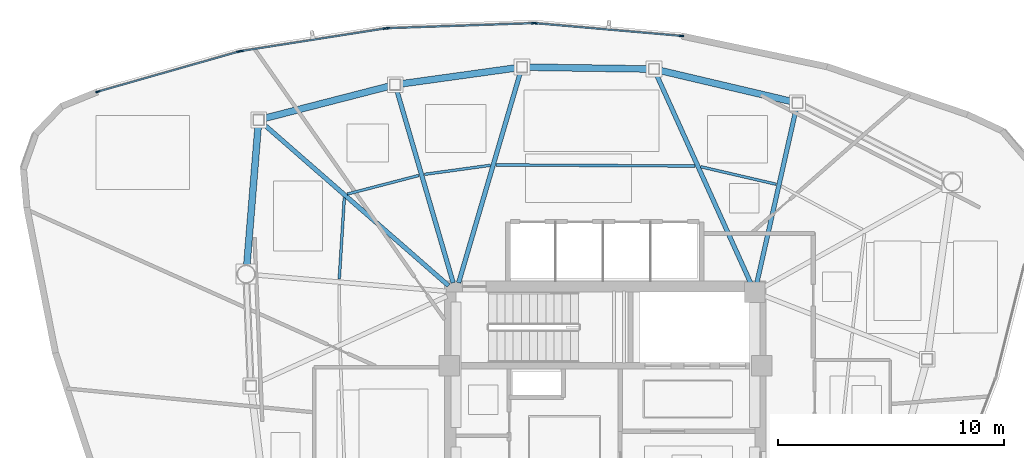
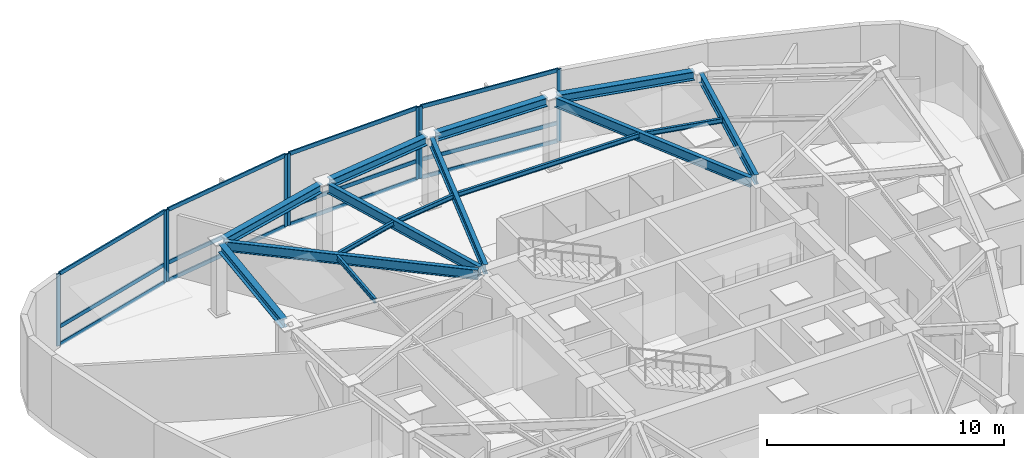
# One storey, part 5 of 12: 20 members, 15 beams, 4 elements without a shape of their own.
"""IFC4 building model written with IfcOpenShell, lengths in metres."""

from ifc_helpers import new_model, si_unit, direction, frame, origin, origin_2d, place, context, subcontext, project, spatial, hollow_rectangle, i_section, extrude, source, transform, mapped, material, layer, layer_set, material_profile, profile_set, type_object, type_shapes, element, aggregate, save


model = new_model("IFC4")

# Units and contexts
model_context = context("Model", 3, precision=1e-05, world=origin(), true_north=direction((0.0, 1.0)))
body_context = subcontext(model_context, "Body", "Model", "MODEL_VIEW")
ifc_project = project(units=[si_unit("LENGTHUNIT", "METRE"), si_unit("AREAUNIT", "SQUARE_METRE"), si_unit("VOLUMEUNIT", "CUBIC_METRE"), si_unit("PLANEANGLEUNIT", "RADIAN"), si_unit("MASSUNIT", "GRAM", prefix="KILO")], contexts=[model_context])

# Site, building, storey
site_placement = place(None, origin())
site = spatial("IfcSite", under=ifc_project, at=site_placement, CompositionType="ELEMENT")
building_placement = place(site_placement, origin())
building = spatial("IfcBuilding", under=site, at=building_placement, Name="Tavelor Broadcast Tower", CompositionType="ELEMENT")
storey_placement = place(building_placement, frame((0.0, 0.0, 289.5)))
storey = spatial("IfcBuildingStorey", under=building, at=storey_placement, Name="L69", CompositionType="ELEMENT", Elevation=289.5)

# Beams
ifc_material_1 = material(Name="Steel S355", Category="steel")
ifc_material_profile_1 = material_profile(ifc_material_1, i_section(OverallWidth=0.1201171875, OverallDepth=0.239990234375, WebThickness=0.006103515625, FlangeThickness=0.009765625, at=origin_2d()), Name="IPE 240")
ifc_profile_set_1 = profile_set([ifc_material_profile_1], Name="Steel S355")
beam_type_1 = type_object("IfcBeamType", Name="Composite Floor Joist T7 IPE 240", PredefinedType="JOIST", material=ifc_profile_set_1)
beam_1_placement = place(storey_placement, frame((57.54248046875, 55.96337890625, 3.580078125), z_axis=(-0.974044982297, 0.226354528257, 0.0), x_axis=(-0.226354528257, -0.974044982297, 0.0)))
element("IfcBeam", 1, at=beam_1_placement, inside=storey, type_object=beam_type_1, Name="L69 Secondary Composite Floor Joist 14", PredefinedType="JOIST", context=body_context, shape_type="SweptSolid", body=[
    extrude(i_section(OverallWidth=0.1201171875, OverallDepth=0.239990234375, WebThickness=0.006103515625, FlangeThickness=0.009765625, at=origin_2d()), origin(), (0.0, 0.0, 1.0), 3.42236328125),
])
beam_2_placement = place(storey_placement, frame((53.954345703125, 56.76806640625, 3.580078125), z_axis=(-0.999984057593, 0.005646641549, 0.0), x_axis=(-0.005646641549, -0.999984057593, 0.0)))
element("IfcBeam", 2, at=beam_2_placement, inside=storey, type_object=beam_type_1, Name="L69 Secondary Composite Floor Joist 15", PredefinedType="JOIST", context=body_context, shape_type="SweptSolid", body=[
    extrude(i_section(OverallWidth=0.1201171875, OverallDepth=0.239990234375, WebThickness=0.006103515625, FlangeThickness=0.009765625, at=origin_2d()), origin(), (0.0, 0.0, 1.0), 8.777099609375),
])
beam_3_placement = place(storey_placement, frame((44.920654296875, 56.80078125, 3.580078125), z_axis=(-0.990691592416, -0.136125562317, 0.0), x_axis=(0.136125562317, -0.990691592416, 0.0)))
element("IfcBeam", 3, at=beam_3_placement, inside=storey, type_object=beam_type_1, Name="L69 Secondary Composite Floor Joist 16", PredefinedType="JOIST", context=body_context, shape_type="SweptSolid", body=[
    extrude(i_section(OverallWidth=0.1201171875, OverallDepth=0.239990234375, WebThickness=0.006103515625, FlangeThickness=0.009765625, at=origin_2d()), origin(), (0.0, 0.0, 1.0), 2.937744140625),
])
beam_4_placement = place(storey_placement, frame((41.757568359375, 56.35107421875, 3.580078125), z_axis=(-0.967742888196, -0.251939878435, 0.0), x_axis=(0.251939878435, -0.967742888196, 0.0)))
element("IfcBeam", 4, at=beam_4_placement, inside=storey, type_object=beam_type_1, Name="L69 Secondary Composite Floor Joist 17", PredefinedType="JOIST", context=body_context, shape_type="SweptSolid", body=[
    extrude(i_section(OverallWidth=0.1201171875, OverallDepth=0.239990234375, WebThickness=0.006103515625, FlangeThickness=0.009765625, at=origin_2d()), origin(), (0.0, 0.0, 1.0), 3.2578125),
])
beam_5_placement = place(storey_placement, frame((38.471923828125, 55.368896484375, 3.580078125), z_axis=(-0.062188497897, -0.998064422134, 0.0), x_axis=(0.998064422134, -0.062188497897, 0.0)))
element("IfcBeam", 5, at=beam_5_placement, inside=storey, type_object=beam_type_1, Name="L69 Secondary Composite Floor Joist 18", PredefinedType="JOIST", context=body_context, shape_type="SweptSolid", body=[
    extrude(i_section(OverallWidth=0.1201171875, OverallDepth=0.239990234375, WebThickness=0.006103515625, FlangeThickness=0.009765625, at=origin_2d()), origin(), (0.0, 0.0, 1.0), 3.60400390625),
])
ifc_material_profile_2 = material_profile(ifc_material_1, i_section(OverallWidth=0.300048828125, OverallDepth=0.43994140625, WebThickness=0.011474609375, FlangeThickness=0.02099609375, at=origin_2d()), Name="HEA 450")
ifc_profile_set_2 = profile_set([ifc_material_profile_2], Name="Steel S355")
beam_type_2 = type_object("IfcBeamType", Name="Perimeter Spandrel Beam T7 HEA 450", PredefinedType="SPANDREL", material=ifc_profile_set_2)
beam_6_placement = place(storey_placement, frame((58.251953125, 59.6123046875, 3.47998046875), z_axis=(-0.973341210947, 0.229361912863, 0.0), x_axis=(-0.229361912863, -0.973341210947, 0.0)))
element("IfcBeam", 6, at=beam_6_placement, inside=storey, type_object=beam_type_2, Name="L69 Framed-Tube Ring Spandrel 14", PredefinedType="SPANDREL", context=body_context, shape_type="SweptSolid", body=[
    extrude(i_section(OverallWidth=0.300048828125, OverallDepth=0.43994140625, WebThickness=0.011474609375, FlangeThickness=0.02099609375, at=origin_2d()), origin(), (0.0, 0.0, 1.0), 6.0322265625),
])
beam_7_placement = place(storey_placement, frame((51.906982421875, 61.054443359375, 3.47998046875), z_axis=(-0.999890103457, 0.014825012939, 0.0), x_axis=(-0.014825012939, -0.999890103457, 0.0)))
element("IfcBeam", 7, at=beam_7_placement, inside=storey, type_object=beam_type_2, Name="L69 Framed-Tube Ring Spandrel 15", PredefinedType="SPANDREL", context=body_context, shape_type="SweptSolid", body=[
    extrude(i_section(OverallWidth=0.300048828125, OverallDepth=0.43994140625, WebThickness=0.011474609375, FlangeThickness=0.02099609375, at=origin_2d()), origin(), (0.0, 0.0, 1.0), 5.35205078125),
])
beam_8_placement = place(storey_placement, frame((46.077880859375, 61.104248046875, 3.47998046875), z_axis=(-0.99051816585, -0.137381815101, 0.0), x_axis=(0.137381815101, -0.99051816585, 0.0)))
element("IfcBeam", 8, at=beam_8_placement, inside=storey, type_object=beam_type_2, Name="L69 Framed-Tube Ring Spandrel 16", PredefinedType="SPANDREL", context=body_context, shape_type="SweptSolid", body=[
    extrude(i_section(OverallWidth=0.300048828125, OverallDepth=0.43994140625, WebThickness=0.011474609375, FlangeThickness=0.02099609375, at=origin_2d()), origin(), (0.0, 0.0, 1.0), 5.17138671875),
])
beam_9_placement = place(storey_placement, frame((40.485595703125, 60.301025390625, 3.47998046875), z_axis=(-0.968436978706, -0.249258537014, 0.0), x_axis=(0.249258537014, -0.968436978706, 0.0)))
element("IfcBeam", 9, at=beam_9_placement, inside=storey, type_object=beam_type_2, Name="L69 Framed-Tube Ring Spandrel 17", PredefinedType="SPANDREL", context=body_context, shape_type="SweptSolid", body=[
    extrude(i_section(OverallWidth=0.300048828125, OverallDepth=0.43994140625, WebThickness=0.011474609375, FlangeThickness=0.02099609375, at=origin_2d()), origin(), (0.0, 0.0, 1.0), 5.74560546875),
])
beam_10_placement = place(storey_placement, frame((34.669677734375, 58.56982421875, 3.47998046875), z_axis=(-0.081085240328, -0.996707170538, 0.0), x_axis=(0.996707170538, -0.081085240328, 0.0)))
element("IfcBeam", 10, at=beam_10_placement, inside=storey, type_object=beam_type_2, Name="L69 Framed-Tube Ring Spandrel 18", PredefinedType="SPANDREL", context=body_context, shape_type="SweptSolid", body=[
    extrude(i_section(OverallWidth=0.300048828125, OverallDepth=0.43994140625, WebThickness=0.011474609375, FlangeThickness=0.02099609375, at=origin_2d()), origin(), (0.0, 0.0, 1.0), 6.20556640625),
])
ifc_material_profile_3 = material_profile(ifc_material_1, i_section(OverallWidth=0.199951171875, OverallDepth=0.5, WebThickness=0.01025390625, FlangeThickness=0.01611328125, at=origin_2d()), Name="IPE 500")
ifc_profile_set_3 = profile_set([ifc_material_profile_3], Name="Steel S355")
beam_type_3 = type_object("IfcBeamType", Name="Radial Floor Girder T7 IPE 500", PredefinedType="BEAM", material=ifc_profile_set_3)
beam_11_placement = place(storey_placement, frame((56.695068359375, 51.621337890625, 3.449951171875), z_axis=(0.22010521598, 0.975476137021, 0.0), x_axis=(-0.975476137021, 0.22010521598, 0.0)))
element("IfcBeam", 11, at=beam_11_placement, inside=storey, type_object=beam_type_3, Name="L69 Radial Primary Floor Girder 14", PredefinedType="BEAM", context=body_context, shape_type="SweptSolid", body=[
    extrude(i_section(OverallWidth=0.199951171875, OverallDepth=0.5, WebThickness=0.01025390625, FlangeThickness=0.01611328125, at=origin_2d()), origin(), (0.0, 0.0, 1.0), 7.895263671875),
])
beam_12_placement = place(storey_placement, frame((56.422119140625, 51.59375, 3.449951171875), z_axis=(-0.411897039455, 0.911230392869, 0.0), x_axis=(-0.911230392869, -0.411897039455, 0.0)))
element("IfcBeam", 12, at=beam_12_placement, inside=storey, type_object=beam_type_3, Name="L69 Radial Primary Floor Girder 15", PredefinedType="BEAM", context=body_context, shape_type="SweptSolid", body=[
    extrude(i_section(OverallWidth=0.199951171875, OverallDepth=0.5, WebThickness=0.01025390625, FlangeThickness=0.01611328125, at=origin_2d()), origin(), (0.0, 0.0, 1.0), 10.138427734375),
])
beam_13_placement = place(storey_placement, frame((43.521484375, 51.614501953125, 3.449951171875), z_axis=(0.281523398042, 0.959554363418, 0.0), x_axis=(-0.959554363418, 0.281523398042, 0.0)))
element("IfcBeam", 13, at=beam_13_placement, inside=storey, type_object=beam_type_3, Name="L69 Radial Primary Floor Girder 16", PredefinedType="BEAM", context=body_context, shape_type="SweptSolid", body=[
    extrude(i_section(OverallWidth=0.199951171875, OverallDepth=0.5, WebThickness=0.01025390625, FlangeThickness=0.01611328125, at=origin_2d()), origin(), (0.0, 0.0, 1.0), 9.68408203125),
])
beam_14_placement = place(storey_placement, frame((43.278564453125, 51.614501953125, 3.449951171875), z_axis=(-0.280965508075, 0.959717866496, 0.0), x_axis=(-0.959717866496, -0.280965508075, 0.0)))
element("IfcBeam", 14, at=beam_14_placement, inside=storey, type_object=beam_type_3, Name="L69 Radial Primary Floor Girder 17", PredefinedType="BEAM", context=body_context, shape_type="SweptSolid", body=[
    extrude(i_section(OverallWidth=0.199951171875, OverallDepth=0.5, WebThickness=0.01025390625, FlangeThickness=0.01611328125, at=origin_2d()), origin(), (0.0, 0.0, 1.0), 8.87353515625),
])
beam_15_placement = place(storey_placement, frame((43.07470703125, 51.484130859375, 3.449951171875), z_axis=(-0.753133106232, 0.657868166351, 0.0), x_axis=(-0.657868166351, -0.753133106232, 0.0)))
element("IfcBeam", 15, at=beam_15_placement, inside=storey, type_object=beam_type_3, Name="L69 Radial Primary Floor Girder 18", PredefinedType="BEAM", context=body_context, shape_type="SweptSolid", body=[
    extrude(i_section(OverallWidth=0.199951171875, OverallDepth=0.5, WebThickness=0.01025390625, FlangeThickness=0.01611328125, at=origin_2d()), origin(), (0.0, 0.0, 1.0), 10.894287109375),
])

# Curtain wall, members
ifc_material_2 = material(Name="Architectural Anodized Aluminium", Category="aluminium")
ifc_layer = layer(ifc_material_2, 0.199951171875)
ifc_layer_set = layer_set([ifc_layer], Name="Architectural Anodized Aluminium")
curtain_wall_type = type_object("IfcCurtainWallType", Name="Tower High-Zone Triple-Glazed Curtain Wall CW04", PredefinedType="NOTDEFINED", material=ifc_layer_set)
curtain_wall_1_placement = place(storey_placement, origin())
curtain_wall_1 = element("IfcCurtainWall", 16, at=curtain_wall_1_placement, inside=storey, type_object=curtain_wall_type, Name="L69 Curtain Wall CW04 Run 765", PredefinedType="NOTDEFINED")
ifc_material_profile_4 = material_profile(ifc_material_2, hollow_rectangle(XDim=0.070068359375, YDim=0.199951171875, WallThickness=0.02197265625, at=origin_2d()), Name="RHS 70x200x22")
ifc_profile_set_4 = profile_set([ifc_material_profile_4], Name="Architectural Anodized Aluminium")
member_type_1 = type_object("IfcMemberType", Name="CW04 Extruded Aluminium Mullion 70x200", PredefinedType="MULLION", material=ifc_profile_set_4)
shared_shape_1 = source(origin(), body_context, "Body", "SweptSolid", [
    extrude(hollow_rectangle(XDim=0.070068359375, YDim=0.199951171875, WallThickness=0.02197265625, at=origin_2d()), origin(), (0.0, 0.0, 1.0), 3.699951171875),
])
type_shapes(member_type_1, [shared_shape_1])
member_1_placement = place(storey_placement, frame((53.36181640625, 62.512939453125, 0.0), z_axis=(0.0, 0.0, 1.0), x_axis=(-0.086728694143, -0.996231967773, 0.0)))
member_1 = element("IfcMember", 17, at=member_1_placement, type_object=member_type_1, Name="CW04 mullion 1", PredefinedType="MULLION", context=body_context, shape_type="MappedRepresentation", body=[
    mapped(shared_shape_1, transform((0.0, 0.0, 0.0), scale=1.0)),
])
member_2_placement = place(storey_placement, frame((46.92333984375, 63.073486328125, 0.0), z_axis=(0.0, 0.0, 1.0), x_axis=(-0.086728694143, -0.996231967773, 0.0)))
member_2 = element("IfcMember", 18, at=member_2_placement, type_object=member_type_1, Name="CW04 mullion 2", PredefinedType="MULLION", context=body_context, shape_type="MappedRepresentation", body=[
    mapped(shared_shape_1, transform((0.0, 0.0, 0.0), scale=1.0)),
])

curtain_wall_2_placement = place(storey_placement, origin())
curtain_wall_2 = element("IfcCurtainWall", 19, at=curtain_wall_2_placement, inside=storey, type_object=curtain_wall_type, Name="L69 Curtain Wall CW04 Run 766", PredefinedType="NOTDEFINED")
member_3_placement = place(storey_placement, frame((46.823486328125, 63.075927734375, 0.0), z_axis=(0.0, 0.0, 1.0), x_axis=(0.034473372331, -0.999405616654, 0.0)))
member_3 = element("IfcMember", 20, at=member_3_placement, type_object=member_type_1, Name="CW04 mullion 1", PredefinedType="MULLION", context=body_context, shape_type="MappedRepresentation", body=[
    mapped(shared_shape_1, transform((0.0, 0.0, 0.0), scale=1.0)),
])
member_4_placement = place(storey_placement, frame((40.379150390625, 62.853759765625, 0.0), z_axis=(0.0, 0.0, 1.0), x_axis=(0.034473372331, -0.999405616654, 0.0)))
member_4 = element("IfcMember", 21, at=member_4_placement, type_object=member_type_1, Name="CW04 mullion 2", PredefinedType="MULLION", context=body_context, shape_type="MappedRepresentation", body=[
    mapped(shared_shape_1, transform((0.0, 0.0, 0.0), scale=1.0)),
])

curtain_wall_3_placement = place(storey_placement, origin())
curtain_wall_3 = element("IfcCurtainWall", 22, at=curtain_wall_3_placement, inside=storey, type_object=curtain_wall_type, Name="L69 Curtain Wall CW04 Run 767", PredefinedType="NOTDEFINED")
member_5_placement = place(storey_placement, frame((40.27978515625, 62.84423828125, 0.0), z_axis=(0.0, 0.0, 1.0), x_axis=(0.155151850756, -0.987890633222, 0.0)))
member_5 = element("IfcMember", 23, at=member_5_placement, type_object=member_type_1, Name="CW04 mullion 1", PredefinedType="MULLION", context=body_context, shape_type="MappedRepresentation", body=[
    mapped(shared_shape_1, transform((0.0, 0.0, 0.0), scale=1.0)),
])
member_6_placement = place(storey_placement, frame((33.90966796875, 61.84375, 0.0), z_axis=(0.0, 0.0, 1.0), x_axis=(0.155151850756, -0.987890633222, 0.0)))
member_6 = element("IfcMember", 24, at=member_6_placement, type_object=member_type_1, Name="CW04 mullion 2", PredefinedType="MULLION", context=body_context, shape_type="MappedRepresentation", body=[
    mapped(shared_shape_1, transform((0.0, 0.0, 0.0), scale=1.0)),
])

curtain_wall_4_placement = place(storey_placement, origin())
curtain_wall_4 = element("IfcCurtainWall", 25, at=curtain_wall_4_placement, inside=storey, type_object=curtain_wall_type, Name="L69 Curtain Wall CW04 Run 768", PredefinedType="NOTDEFINED")
member_7_placement = place(storey_placement, frame((33.812255859375, 61.822265625, 0.0), z_axis=(0.0, 0.0, 1.0), x_axis=(0.273566744694, -0.961853022139, 0.0)))
member_7 = element("IfcMember", 26, at=member_7_placement, type_object=member_type_1, Name="CW04 mullion 1", PredefinedType="MULLION", context=body_context, shape_type="MappedRepresentation", body=[
    mapped(shared_shape_1, transform((0.0, 0.0, 0.0), scale=1.0)),
])
member_8_placement = place(storey_placement, frame((27.594970703125, 60.053955078125, 0.0), z_axis=(0.0, 0.0, 1.0), x_axis=(0.273566744694, -0.961853022139, 0.0)))
member_8 = element("IfcMember", 27, at=member_8_placement, type_object=member_type_1, Name="CW04 mullion 2", PredefinedType="MULLION", context=body_context, shape_type="MappedRepresentation", body=[
    mapped(shared_shape_1, transform((0.0, 0.0, 0.0), scale=1.0)),
])

# Member
ifc_material_profile_5 = material_profile(ifc_material_2, hollow_rectangle(XDim=0.070068359375, YDim=0.199951171875, WallThickness=0.02197265625, at=origin_2d()), Name="RHS 70x200x22")
ifc_profile_set_5 = profile_set([ifc_material_profile_5], Name="Architectural Anodized Aluminium")
member_type_2 = type_object("IfcMemberType", Name="CW04 Extruded Aluminium Transom 70x200", PredefinedType="USERDEFINED", material=ifc_profile_set_5)
shared_shape_2 = source(origin(), body_context, "Body", "SweptSolid", [
    extrude(hollow_rectangle(XDim=0.070068359375, YDim=0.199951171875, WallThickness=0.02197265625, at=origin_2d()), origin(), (0.0, 0.0, 1.0), 6.378173828125),
])
member_9_placement = place(storey_placement, frame((46.788330078125, 63.07470703125, 0.034912109375), z_axis=(-0.999406408433, -0.034450410494, 0.0), x_axis=(0.034450410494, -0.999406408433, 0.0)))
member_9 = element("IfcMember", 28, at=member_9_placement, type_object=member_type_2, Name="CW04 transom 1.1", ObjectType="TRANSOM", PredefinedType="USERDEFINED", context=body_context, shape_type="MappedRepresentation", body=[
    mapped(shared_shape_2, transform((0.0, 0.0, 0.0), scale=1.0)),
])

member_10_placement = place(storey_placement, frame((46.788330078125, 63.07470703125, 0.949951171875), z_axis=(-0.999406408433, -0.034450410494, 0.0), x_axis=(0.034450410494, -0.999406408433, 0.0)))
member_10 = element("IfcMember", 29, at=member_10_placement, type_object=member_type_2, Name="CW04 transom 1.2", ObjectType="TRANSOM", PredefinedType="USERDEFINED", context=body_context, shape_type="MappedRepresentation", body=[
    mapped(shared_shape_2, transform((0.0, 0.0, 0.0), scale=1.0)),
])

member_11_placement = place(storey_placement, frame((46.788330078125, 63.07470703125, 3.6650390625), z_axis=(-0.999406408433, -0.034450410494, 0.0), x_axis=(0.034450410494, -0.999406408433, 0.0)))
member_11 = element("IfcMember", 30, at=member_11_placement, type_object=member_type_2, Name="CW04 transom 1.3", ObjectType="TRANSOM", PredefinedType="USERDEFINED", context=body_context, shape_type="MappedRepresentation", body=[
    mapped(shared_shape_2, transform((0.0, 0.0, 0.0), scale=1.0)),
])

aggregate(curtain_wall_2, [member_3, member_4, member_9, member_10, member_11])

member_12_placement = place(storey_placement, frame((40.245361328125, 62.838623046875, 0.034912109375), z_axis=(-0.987892969297, -0.15513697565, 0.0), x_axis=(0.15513697565, -0.987892969297, 0.0)))
member_12 = element("IfcMember", 31, at=member_12_placement, type_object=member_type_2, Name="CW04 transom 1.1", ObjectType="TRANSOM", PredefinedType="USERDEFINED", context=body_context, shape_type="MappedRepresentation", body=[
    mapped(shared_shape_2, transform((0.0, 0.0, 0.0), scale=1.0)),
])

member_13_placement = place(storey_placement, frame((40.245361328125, 62.838623046875, 0.949951171875), z_axis=(-0.987892969297, -0.15513697565, 0.0), x_axis=(0.15513697565, -0.987892969297, 0.0)))
member_13 = element("IfcMember", 32, at=member_13_placement, type_object=member_type_2, Name="CW04 transom 1.2", ObjectType="TRANSOM", PredefinedType="USERDEFINED", context=body_context, shape_type="MappedRepresentation", body=[
    mapped(shared_shape_2, transform((0.0, 0.0, 0.0), scale=1.0)),
])

member_14_placement = place(storey_placement, frame((40.245361328125, 62.838623046875, 3.6650390625), z_axis=(-0.987892969297, -0.15513697565, 0.0), x_axis=(0.15513697565, -0.987892969297, 0.0)))
member_14 = element("IfcMember", 33, at=member_14_placement, type_object=member_type_2, Name="CW04 transom 1.3", ObjectType="TRANSOM", PredefinedType="USERDEFINED", context=body_context, shape_type="MappedRepresentation", body=[
    mapped(shared_shape_2, transform((0.0, 0.0, 0.0), scale=1.0)),
])

aggregate(curtain_wall_3, [member_5, member_6, member_12, member_13, member_14])

shared_shape_3 = source(origin(), body_context, "Body", "SweptSolid", [
    extrude(hollow_rectangle(XDim=0.070068359375, YDim=0.199951171875, WallThickness=0.02197265625, at=origin_2d()), origin(), (0.0, 0.0, 1.0), 6.39306640625),
])
member_15_placement = place(storey_placement, frame((53.3271484375, 62.515869140625, 0.034912109375), z_axis=(-0.996232128887, 0.086726843436, 0.0), x_axis=(-0.086726843436, -0.996232128887, 0.0)))
member_15 = element("IfcMember", 34, at=member_15_placement, type_object=member_type_2, Name="CW04 transom 1.1", ObjectType="TRANSOM", PredefinedType="USERDEFINED", context=body_context, shape_type="MappedRepresentation", body=[
    mapped(shared_shape_3, transform((0.0, 0.0, 0.0), scale=1.0)),
])

member_16_placement = place(storey_placement, frame((53.3271484375, 62.515869140625, 0.949951171875), z_axis=(-0.996232128887, 0.086726843436, 0.0), x_axis=(-0.086726843436, -0.996232128887, 0.0)))
member_16 = element("IfcMember", 35, at=member_16_placement, type_object=member_type_2, Name="CW04 transom 1.2", ObjectType="TRANSOM", PredefinedType="USERDEFINED", context=body_context, shape_type="MappedRepresentation", body=[
    mapped(shared_shape_3, transform((0.0, 0.0, 0.0), scale=1.0)),
])

member_17_placement = place(storey_placement, frame((53.3271484375, 62.515869140625, 3.6650390625), z_axis=(-0.996232128887, 0.086726843436, 0.0), x_axis=(-0.086726843436, -0.996232128887, 0.0)))
member_17 = element("IfcMember", 36, at=member_17_placement, type_object=member_type_2, Name="CW04 transom 1.3", ObjectType="TRANSOM", PredefinedType="USERDEFINED", context=body_context, shape_type="MappedRepresentation", body=[
    mapped(shared_shape_3, transform((0.0, 0.0, 0.0), scale=1.0)),
])

aggregate(curtain_wall_1, [member_1, member_2, member_15, member_16, member_17])

shared_shape_4 = source(origin(), body_context, "Body", "SweptSolid", [
    extrude(hollow_rectangle(XDim=0.070068359375, YDim=0.199951171875, WallThickness=0.02197265625, at=origin_2d()), origin(), (0.0, 0.0, 1.0), 6.39404296875),
])
type_shapes(member_type_2, [shared_shape_2, shared_shape_3, shared_shape_4])
member_18_placement = place(storey_placement, frame((33.778564453125, 61.812744140625, 0.034912109375), z_axis=(-0.961850337225, -0.273576184598, 0.0), x_axis=(0.273576184598, -0.961850337225, 0.0)))
member_18 = element("IfcMember", 37, at=member_18_placement, type_object=member_type_2, Name="CW04 transom 1.1", ObjectType="TRANSOM", PredefinedType="USERDEFINED", context=body_context, shape_type="MappedRepresentation", body=[
    mapped(shared_shape_4, transform((0.0, 0.0, 0.0), scale=1.0)),
])

member_19_placement = place(storey_placement, frame((33.778564453125, 61.812744140625, 0.949951171875), z_axis=(-0.961850337225, -0.273576184598, 0.0), x_axis=(0.273576184598, -0.961850337225, 0.0)))
member_19 = element("IfcMember", 38, at=member_19_placement, type_object=member_type_2, Name="CW04 transom 1.2", ObjectType="TRANSOM", PredefinedType="USERDEFINED", context=body_context, shape_type="MappedRepresentation", body=[
    mapped(shared_shape_4, transform((0.0, 0.0, 0.0), scale=1.0)),
])

member_20_placement = place(storey_placement, frame((33.778564453125, 61.812744140625, 3.6650390625), z_axis=(-0.961850337225, -0.273576184598, 0.0), x_axis=(0.273576184598, -0.961850337225, 0.0)))
member_20 = element("IfcMember", 39, at=member_20_placement, type_object=member_type_2, Name="CW04 transom 1.3", ObjectType="TRANSOM", PredefinedType="USERDEFINED", context=body_context, shape_type="MappedRepresentation", body=[
    mapped(shared_shape_4, transform((0.0, 0.0, 0.0), scale=1.0)),
])

aggregate(curtain_wall_4, [member_7, member_8, member_18, member_19, member_20])

save(model, "model.ifc")
